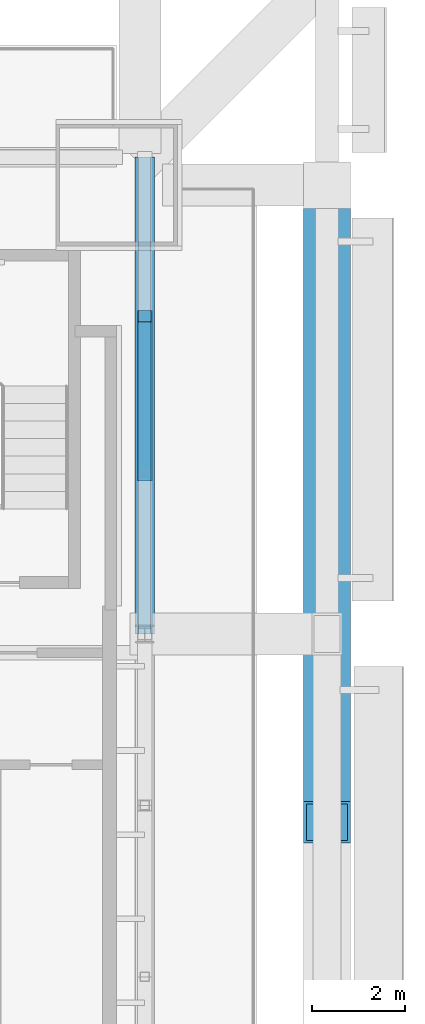
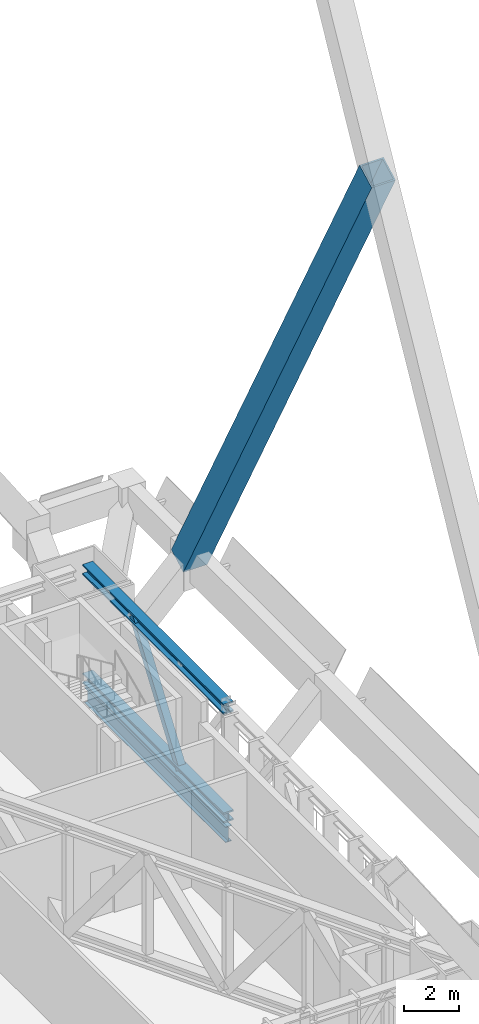
# One storey, part 17 of 30: 4 members, 1 beam.
"""IFC4 building model written with IfcOpenShell, lengths in metres."""

from ifc_helpers import new_model, si_unit, direction, frame, origin, origin_2d, place, context, subcontext, project, spatial, hollow_rectangle, i_section, extrude, material, material_profile, profile_set, type_object, element, save


model = new_model("IFC4")

# Units and contexts
model_context = context("Model", 3, precision=1e-05, world=origin(), true_north=direction((0.0, 1.0)))
body_context = subcontext(model_context, "Body", "Model", "MODEL_VIEW")
ifc_project = project(units=[si_unit("LENGTHUNIT", "METRE"), si_unit("AREAUNIT", "SQUARE_METRE"), si_unit("VOLUMEUNIT", "CUBIC_METRE"), si_unit("PLANEANGLEUNIT", "RADIAN"), si_unit("MASSUNIT", "GRAM", prefix="KILO")], contexts=[model_context])

# Site, building, storey
site_placement = place(None, origin())
site = spatial("IfcSite", under=ifc_project, at=site_placement, CompositionType="ELEMENT")
building_placement = place(site_placement, origin())
building = spatial("IfcBuilding", under=site, at=building_placement, Name="Bicima Exchange Tower", CompositionType="ELEMENT")
storey_placement = place(building_placement, frame((0.0, 0.0, 185.5)))
storey = spatial("IfcBuildingStorey", under=building, at=storey_placement, Name="L41", CompositionType="ELEMENT", Elevation=185.5)

# Members
ifc_material_1 = material(Name="Steel ASTM A992 Gr 50", Category="steel")
ifc_material_profile_1 = material_profile(ifc_material_1, i_section(OverallWidth=0.419189453125, OverallDepth=0.45458984375, WebThickness=0.042236328125, FlangeThickness=0.067626953125, at=origin_2d()))
ifc_profile_set_1 = profile_set([ifc_material_profile_1], Name="Steel ASTM A992 Gr 50")
member_type_1 = type_object("IfcMemberType", Name="Belt truss chord W14x370", PredefinedType="CHORD", material=ifc_profile_set_1)
for number, where, z_axis, x_axis, name in (
    (1, (33.60009765625, -2.39990234375, 5.022705078125), (0.0, -1.0, 0.0), (1.0, 0.0, 0.0), "Top chord"),
    (2, (33.60009765625, -2.39990234375, 0.227294921875), (0.0, -1.0, 0.0), (1.0, 0.0, 0.0), "Bottom chord"),
):
    element("IfcMember", number, at=place(storey_placement, frame(where, z_axis=z_axis, x_axis=x_axis)), inside=storey, type_object=member_type_1, Name=name, PredefinedType="CHORD", context=body_context, shape_type="SweptSolid", body=[
        extrude(i_section(OverallWidth=0.419189453125, OverallDepth=0.45458984375, WebThickness=0.042236328125, FlangeThickness=0.067626953125, at=origin_2d()), origin(), (0.0, 0.0, 1.0), 10.2001953125),
    ])
ifc_material_2 = material(Name="Steel ASTM A572 Gr 50", Category="steel")
ifc_material_profile_2 = material_profile(ifc_material_2, hollow_rectangle(XDim=0.3046875, YDim=0.3046875, WallThickness=0.01171875, at=origin_2d()))
ifc_profile_set_2 = profile_set([ifc_material_profile_2], Name="Steel ASTM A572 Gr 50")
member_type_2 = type_object("IfcMemberType", Name="Belt truss diagonal HSS12x12x1/2", PredefinedType="STRUT", material=ifc_profile_set_2)
member_1_placement = place(storey_placement, frame((33.60009765625, -5.800048828125, 5.022705078125), z_axis=(0.0, -0.578374508534, -0.815771369857), x_axis=(1.0, 0.0, 0.0)))
element("IfcMember", 3, at=member_1_placement, inside=storey, type_object=member_type_2, Name="Truss diagonal", PredefinedType="STRUT", context=body_context, shape_type="SweptSolid", body=[
    extrude(hollow_rectangle(XDim=0.3046875, YDim=0.3046875, WallThickness=0.01171875, at=origin_2d()), origin(), (0.0, 0.0, 1.0), 5.87841796875),
])

# Beam
ifc_material_profile_3 = material_profile(ifc_material_1, i_section(OverallWidth=0.256591796875, OverallDepth=0.693359375, WebThickness=0.014404296875, FlangeThickness=0.023681640625, at=origin_2d()))
ifc_profile_set_3 = profile_set([ifc_material_profile_3], Name="Steel ASTM A992 Gr 50")
beam_type = type_object("IfcBeamType", Name="End girder W27x114", PredefinedType="BEAM", material=ifc_profile_set_3)
beam_placement = place(storey_placement, frame((33.60009765625, -2.39990234375, -0.546630859375), z_axis=(0.0, -1.0, 0.0), x_axis=(1.0, 0.0, 0.0)))
element("IfcBeam", 4, at=beam_placement, inside=storey, type_object=beam_type, Name="End girder", PredefinedType="BEAM", context=body_context, shape_type="SweptSolid", body=[
    extrude(i_section(OverallWidth=0.256591796875, OverallDepth=0.693359375, WebThickness=0.014404296875, FlangeThickness=0.023681640625, at=origin_2d()), origin(), (0.0, 0.0, 1.0), 10.2001953125),
])

# Member
ifc_material_profile_4 = material_profile(ifc_material_2, hollow_rectangle(XDim=1.0, YDim=1.0, WallThickness=0.06005859375, at=origin_2d()))
ifc_profile_set_4 = profile_set([ifc_material_profile_4], Name="Steel ASTM A572 Gr 50")
member_type_3 = type_object("IfcMemberType", Name="Exo mega brace BOX 1000x1000x60", PredefinedType="BRACE", material=ifc_profile_set_4)
member_2_placement = place(storey_placement, frame((37.5, -3.0, 4.5), z_axis=(0.0, -0.474971300612, 0.880001286133), x_axis=(1.0, 0.0, 0.0)))
element("IfcMember", 5, at=member_2_placement, inside=storey, type_object=member_type_3, Name="Exo mega brace end", PredefinedType="BRACE", context=body_context, shape_type="SweptSolid", body=[
    extrude(hollow_rectangle(XDim=1.0, YDim=1.0, WallThickness=0.06005859375, at=origin_2d()), origin(), (0.0, 0.0, 1.0), 28.693115234375),
])

save(model, "model.ifc")
